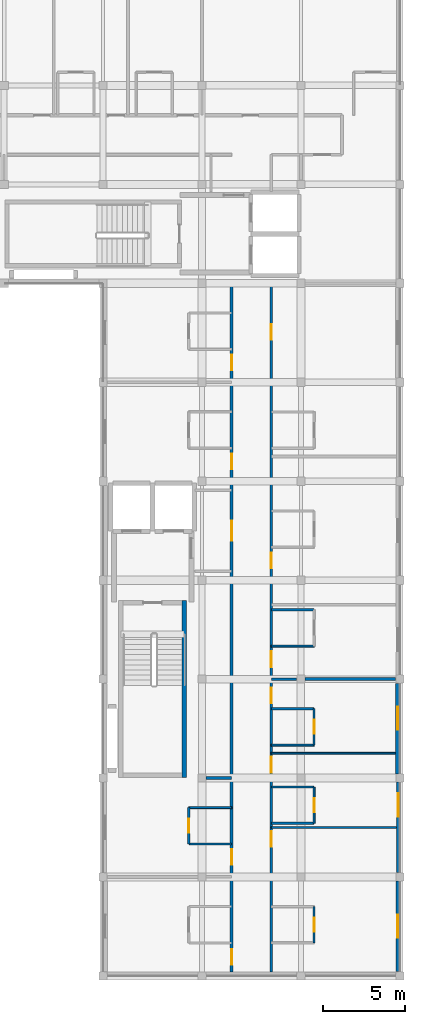
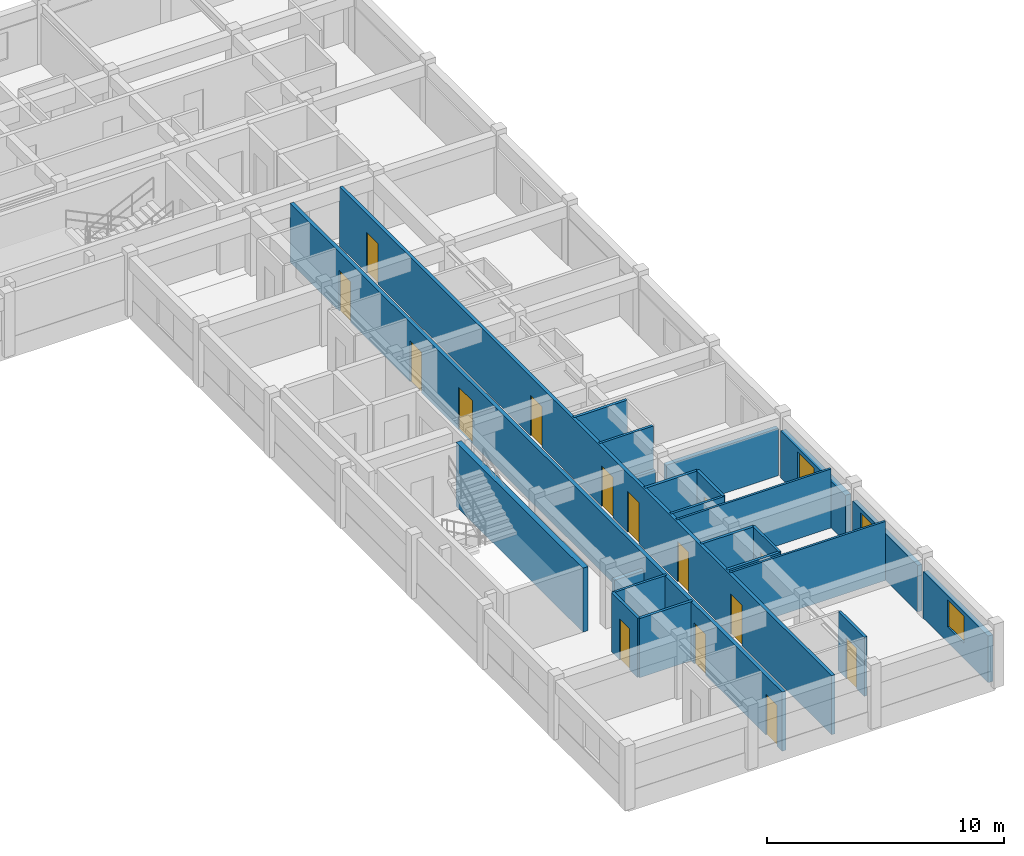
# One storey, part 7 of 14: 23 walls, 15 doors, 3 windows, 18 openings.
"""IFC4 building model written with IfcOpenShell, lengths in metres."""

from ifc_helpers import new_model, si_unit, direction, frame, frame_2d, origin, place, context, subcontext, project, spatial, rectangle, extrude, material, layer, layer_set, type_object, element, fill, save


model = new_model("IFC4")

# Units and contexts
model_context = context("Model", 3, precision=1e-05, world=origin(), true_north=direction((0.0, 1.0)))
body_context = subcontext(model_context, "Body", "Model", "MODEL_VIEW")
ifc_project = project(units=[si_unit("LENGTHUNIT", "METRE"), si_unit("AREAUNIT", "SQUARE_METRE"), si_unit("VOLUMEUNIT", "CUBIC_METRE"), si_unit("PLANEANGLEUNIT", "RADIAN"), si_unit("MASSUNIT", "GRAM", prefix="KILO"), si_unit("THERMODYNAMICTEMPERATUREUNIT", "KELVIN"), si_unit("POWERUNIT", "WATT")], contexts=[model_context])

# Site, building, storey
site_placement = place(None, origin())
site = spatial("IfcSite", under=ifc_project, at=site_placement, CompositionType="ELEMENT")
building_placement = place(site_placement, origin())
building = spatial("IfcBuilding", under=site, at=building_placement, Name="Phaisarnlok Congress Hotel", CompositionType="ELEMENT")
storey_placement = place(building_placement, frame((0.0, 0.0, 48.0)))
storey = spatial("IfcBuildingStorey", under=building, at=storey_placement, Name="L12", CompositionType="ELEMENT", Elevation=48.0)

# Wall, opening, window
ifc_material_1 = material(Name="Concrete C40/50", Category="concrete")
ifc_layer_1 = layer(ifc_material_1, 0.2099609375, Name="Concrete C40/50")
ifc_layer_set_1 = layer_set([ifc_layer_1], Name="Concrete C40/50")
wall_type_1 = type_object("IfcWallType", Name="WL-EXT-210", PredefinedType="SOLIDWALL", material=ifc_layer_set_1)
wall_1_placement = place(storey_placement, frame((179.89501953125, 72.2548828125, 0.0), z_axis=(0.0, 0.0, 1.0), x_axis=(0.0, 1.0, 0.0)))
wall_1 = element("IfcWall", 1, at=wall_1_placement, inside=storey, type_object=wall_type_1, Name="Exterior wall EW-07 (L12)", PredefinedType="SOLIDWALL", context=body_context, shape_type="SweptSolid", body=[
    extrude(rectangle(XDim=5.490234375, YDim=0.2099609375, at=frame_2d((2.7451171875, 0.0))), origin(), (0.0, 0.0, 1.0), 2.39990234375),
])
opening_1_placement = place(wall_1_placement, frame((3.407958984375, 0.0, 0.800048828125)))
opening_1 = element("IfcOpeningElement", 2, at=opening_1_placement, cuts=wall_1, Name="Opening W-13", PredefinedType="OPENING", context=body_context, shape_type="SweptSolid", body=[
    extrude(rectangle(XDim=1.39990234375, YDim=1.39990234375, at=frame_2d((0.699951171875, 0.699951171875))), frame((0.0, 0.114990234375, 0.0), z_axis=(0.0, -1.0, 0.0), x_axis=(1.0, 0.0, 0.0)), (0.0, 0.0, 1.0), 0.22998046875),
])
ifc_material_2 = material(Name="Thermally Broken Aluminium & Low-E Double Glazing", Category="aluminium")
window_type = type_object("IfcWindowType", Name="WIN-POD-1400", PartitioningType="SINGLE_PANEL", PredefinedType="WINDOW", material=ifc_material_2)
window_1_placement = place(opening_1_placement, origin())
window_1 = element("IfcWindow", 3, at=window_1_placement, inside=storey, type_object=window_type, Name="Guestroom window W-13 (L12)", OverallHeight=1.39990234375, OverallWidth=1.39990234375, PartitioningType="SINGLE_PANEL", PredefinedType="WINDOW", context=body_context, shape_type="SweptSolid", body=[
    extrude(rectangle(XDim=1.39990234375, YDim=1.39990234375, at=frame_2d((0.699951171875, 0.699951171875))), frame((0.0, 0.030029296875, 0.0), z_axis=(0.0, -1.0, 0.0), x_axis=(1.0, 0.0, 0.0)), (0.0, 0.0, 1.0), 0.06005859375),
])
fill(opening_1, window_1)

ifc_layer_2 = layer(ifc_material_1, 0.22998046875, Name="Concrete C40/50")
ifc_layer_set_2 = layer_set([ifc_layer_2], Name="Concrete C40/50")
wall_type_2 = type_object("IfcWallType", Name="WL-EXT-230", PredefinedType="SOLIDWALL", material=ifc_layer_set_2)
wall_2_placement = place(storey_placement, frame((179.885009765625, 66.2548828125, 0.0), z_axis=(0.0, 0.0, 1.0), x_axis=(0.0, 1.0, 0.0)))
wall_2 = element("IfcWall", 4, at=wall_2_placement, inside=storey, type_object=wall_type_2, Name="Exterior wall EW-06 (L12)", PredefinedType="SOLIDWALL", context=body_context, shape_type="SweptSolid", body=[
    extrude(rectangle(XDim=5.490234375, YDim=0.22998046875, at=frame_2d((2.7451171875, 0.0))), origin(), (0.0, 0.0, 1.0), 2.39990234375),
])
opening_2_placement = place(wall_2_placement, frame((2.044921875, 0.0, 0.800048828125)))
opening_2 = element("IfcOpeningElement", 5, at=opening_2_placement, cuts=wall_2, Name="Opening W-13", PredefinedType="OPENING", context=body_context, shape_type="SweptSolid", body=[
    extrude(rectangle(XDim=1.39990234375, YDim=1.39990234375, at=frame_2d((0.699951171875, 0.699951171875))), frame((0.0, 0.125, 0.0), z_axis=(0.0, -1.0, 0.0), x_axis=(1.0, 0.0, 0.0)), (0.0, 0.0, 1.0), 0.25),
])
window_2_placement = place(opening_2_placement, origin())
window_2 = element("IfcWindow", 6, at=window_2_placement, inside=storey, type_object=window_type, Name="Guestroom window W-13 (L12)", OverallHeight=1.39990234375, OverallWidth=1.39990234375, PartitioningType="SINGLE_PANEL", PredefinedType="WINDOW", context=body_context, shape_type="SweptSolid", body=[
    extrude(rectangle(XDim=1.39990234375, YDim=1.39990234375, at=frame_2d((0.699951171875, 0.699951171875))), frame((0.0, 0.030029296875, 0.0), z_axis=(0.0, -1.0, 0.0), x_axis=(1.0, 0.0, 0.0)), (0.0, 0.0, 1.0), 0.06005859375),
])
fill(opening_2, window_2)

ifc_layer_3 = layer(ifc_material_1, 0.27001953125, Name="Concrete C40/50")
ifc_layer_set_3 = layer_set([ifc_layer_3], Name="Concrete C40/50")
wall_type_3 = type_object("IfcWallType", Name="WL-EXT-270", PredefinedType="SOLIDWALL", material=ifc_layer_set_3)
wall_3_placement = place(storey_placement, frame((179.864990234375, 78.2548828125, 0.0), z_axis=(0.0, 0.0, 1.0), x_axis=(0.0, 1.0, 0.0)))
wall_3 = element("IfcWall", 7, at=wall_3_placement, inside=storey, type_object=wall_type_3, Name="Exterior wall EW-04 (L12)", PredefinedType="SOLIDWALL", context=body_context, shape_type="SweptSolid", body=[
    extrude(rectangle(XDim=5.490234375, YDim=0.27001953125, at=frame_2d((2.7451171875, 0.0))), origin(), (0.0, 0.0, 1.0), 2.39990234375),
])
opening_3_placement = place(wall_3_placement, frame((2.657958984375, 0.0, 0.800048828125)))
opening_3 = element("IfcOpeningElement", 8, at=opening_3_placement, cuts=wall_3, Name="Opening W-13", PredefinedType="OPENING", context=body_context, shape_type="SweptSolid", body=[
    extrude(rectangle(XDim=1.39990234375, YDim=1.39990234375, at=frame_2d((0.699951171875, 0.699951171875))), frame((0.0, 0.14501953125, 0.0), z_axis=(0.0, -1.0, 0.0), x_axis=(1.0, 0.0, 0.0)), (0.0, 0.0, 1.0), 0.2900390625),
])
window_3_placement = place(opening_3_placement, origin())
window_3 = element("IfcWindow", 9, at=window_3_placement, inside=storey, type_object=window_type, Name="Guestroom window W-13 (L12)", OverallHeight=1.39990234375, OverallWidth=1.39990234375, PartitioningType="SINGLE_PANEL", PredefinedType="WINDOW", context=body_context, shape_type="SweptSolid", body=[
    extrude(rectangle(XDim=1.39990234375, YDim=1.39990234375, at=frame_2d((0.699951171875, 0.699951171875))), frame((0.0, 0.030029296875, 0.0), z_axis=(0.0, -1.0, 0.0), x_axis=(1.0, 0.0, 0.0)), (0.0, 0.0, 1.0), 0.06005859375),
])
fill(opening_3, window_3)

# Walls
ifc_material_3 = material(Name="Service Riser Shaftwall Partition", Category="gypsum")
ifc_layer_4 = layer(ifc_material_3, 0.10498046875, Name="Service Riser Shaftwall Partition")
ifc_layer_set_4 = layer_set([ifc_layer_4], Name="Service Riser Shaftwall Partition")
wall_type_4 = type_object("IfcWallType", Name="WL-INT-105", PredefinedType="PARTITIONING", material=ifc_layer_set_4)
wall_4_placement = place(storey_placement, frame((172.199951171875, 75.0, 0.0), z_axis=(0.0, 0.0, 1.0), x_axis=(1.0, 0.0, 0.0)))
element("IfcWall", 10, at=wall_4_placement, inside=storey, type_object=wall_type_4, Name="Interior partition wall IW-08 (L12)", PredefinedType="PARTITIONING", context=body_context, shape_type="SweptSolid", body=[
    extrude(rectangle(XDim=7.5849609375, YDim=0.10498046875, at=frame_2d((3.79248046875, 0.0))), origin(), (0.0, 0.0, 1.0), 3.050048828125),
])
wall_5_placement = place(storey_placement, frame((172.199951171875, 79.5, 0.0), z_axis=(0.0, 0.0, 1.0), x_axis=(1.0, 0.0, 0.0)))
element("IfcWall", 11, at=wall_5_placement, inside=storey, type_object=wall_type_4, Name="Interior partition wall IW-08 (L12)", PredefinedType="PARTITIONING", context=body_context, shape_type="SweptSolid", body=[
    extrude(rectangle(XDim=7.525146484375, YDim=0.10498046875, at=frame_2d((3.7626953125, 0.0))), origin(), (0.0, 0.0, 1.0), 3.050048828125),
])

# Wall, opening, door
ifc_material_4 = material(Name="Lightweight Metal-Stud Gypsum Partition", Category="gypsum")
ifc_layer_5 = layer(ifc_material_4, 0.1201171875, Name="Lightweight Metal-Stud Gypsum Partition")
ifc_layer_set_5 = layer_set([ifc_layer_5], Name="Lightweight Metal-Stud Gypsum Partition")
wall_type_5 = type_object("IfcWallType", Name="WL-INT-120", PredefinedType="PARTITIONING", material=ifc_layer_set_5)
wall_6_placement = place(storey_placement, frame((174.800048828125, 75.25, 0.0), z_axis=(0.0, 0.0, 1.0), x_axis=(0.0, 1.0, 0.0)))
wall_6 = element("IfcWall", 12, at=wall_6_placement, inside=storey, type_object=wall_type_5, Name="Interior partition wall IW-07 (L12)", PredefinedType="PARTITIONING", context=body_context, shape_type="SweptSolid", body=[
    extrude(rectangle(XDim=2.199951171875, YDim=0.1201171875, at=frame_2d((1.10009765625, 0.0))), origin(), (0.0, 0.0, 1.0), 3.050048828125),
])
opening_4_placement = place(wall_6_placement, frame((0.675048828125, 0.0, 0.0)))
opening_4 = element("IfcOpeningElement", 13, at=opening_4_placement, cuts=wall_6, Name="Opening D-0705", PredefinedType="OPENING", context=body_context, shape_type="SweptSolid", body=[
    extrude(rectangle(XDim=0.85009765625, YDim=2.10009765625, at=frame_2d((0.425048828125, 1.050048828125))), frame((0.0, 0.070068359375, 0.0), z_axis=(0.0, -1.0, 0.0), x_axis=(1.0, 0.0, 0.0)), (0.0, 0.0, 1.0), 0.14013671875),
])
ifc_material_5 = material(Name="Moisture-Resistant Lacquered Timber", Category="wood")
door_type_1 = type_object("IfcDoorType", Name="DR-BATH-850", OperationType="NOTDEFINED", PredefinedType="DOOR", material=ifc_material_5)
door_1_placement = place(opening_4_placement, origin())
door_1 = element("IfcDoor", 14, at=door_1_placement, inside=storey, type_object=door_type_1, Name="Interior door D-0705 (L12)", OperationType="SINGLE_SWING_RIGHT", OverallHeight=2.10009765625, OverallWidth=0.85009765625, PredefinedType="DOOR", context=body_context, shape_type="SweptSolid", body=[
    extrude(rectangle(XDim=0.85009765625, YDim=2.10009765625, at=frame_2d((0.425048828125, 1.050048828125))), frame((0.0, 0.02490234375, 0.0), z_axis=(0.0, -1.0, 0.0), x_axis=(1.0, 0.0, 0.0)), (0.0, 0.0, 1.0), 0.050048828125),
])
fill(opening_4, door_1)

# Walls
for number, where, z_axis, x_axis, name in (
    (15, (167.199951171875, 76.199951171875, 0.0), (0.0, 0.0, 1.0), (1.0, 0.0, 0.0), "Interior partition wall IW-07 (L12)"),
    (16, (172.199951171875, 80.0, 0.0), (0.0, 0.0, 1.0), (1.0, 0.0, 0.0), "Interior partition wall IW-07 (L12)"),
    (17, (172.199951171875, 86.0, 0.0), (0.0, 0.0, 1.0), (1.0, 0.0, 0.0), "Interior partition wall IW-07 (L12)"),
):
    element("IfcWall", number, at=place(storey_placement, frame(where, z_axis=z_axis, x_axis=x_axis)), inside=storey, type_object=wall_type_5, Name=name, PredefinedType="PARTITIONING", context=body_context, shape_type="SweptSolid", body=[
        extrude(rectangle(XDim=2.60009765625, YDim=0.1201171875, at=frame_2d((1.300048828125, 0.0))), origin(), (0.0, 0.0, 1.0), 3.050048828125),
    ])

# Wall, opening, door
ifc_material_6 = material(Name="Moisture-Resistant Gypsum Partition", Category="gypsum")
ifc_layer_6 = layer(ifc_material_6, 0.135009765625, Name="Moisture-Resistant Gypsum Partition")
ifc_layer_set_6 = layer_set([ifc_layer_6], Name="Moisture-Resistant Gypsum Partition")
wall_type_6 = type_object("IfcWallType", Name="WL-INT-135", PredefinedType="PARTITIONING", material=ifc_layer_set_6)
wall_7_placement = place(storey_placement, frame((167.199951171875, 74.0, 0.0), z_axis=(0.0, 0.0, 1.0), x_axis=(0.0, 1.0, 0.0)))
wall_7 = element("IfcWall", 18, at=wall_7_placement, inside=storey, type_object=wall_type_6, Name="Interior partition wall IW-06 (L12)", PredefinedType="PARTITIONING", context=body_context, shape_type="SweptSolid", body=[
    extrude(rectangle(XDim=2.199951171875, YDim=0.135009765625, at=frame_2d((1.10009765625, 0.0))), origin(), (0.0, 0.0, 1.0), 3.050048828125),
])
opening_5_placement = place(wall_7_placement, frame((0.675048828125, 0.0, 0.0)))
opening_5 = element("IfcOpeningElement", 19, at=opening_5_placement, cuts=wall_7, Name="Opening D-0718", PredefinedType="OPENING", context=body_context, shape_type="SweptSolid", body=[
    extrude(rectangle(XDim=0.85009765625, YDim=2.10009765625, at=frame_2d((0.425048828125, 1.050048828125))), frame((0.0, 0.07763671875, 0.0), z_axis=(0.0, -1.0, 0.0), x_axis=(1.0, 0.0, 0.0)), (0.0, 0.0, 1.0), 0.155029296875),
])
door_2_placement = place(opening_5_placement, origin())
door_2 = element("IfcDoor", 20, at=door_2_placement, inside=storey, type_object=door_type_1, Name="Interior door D-0718 (L12)", OperationType="SINGLE_SWING_LEFT", OverallHeight=2.10009765625, OverallWidth=0.85009765625, PredefinedType="DOOR", context=body_context, shape_type="SweptSolid", body=[
    extrude(rectangle(XDim=0.85009765625, YDim=2.10009765625, at=frame_2d((0.425048828125, 1.050048828125))), frame((0.0, 0.02490234375, 0.0), z_axis=(0.0, -1.0, 0.0), x_axis=(1.0, 0.0, 0.0)), (0.0, 0.0, 1.0), 0.050048828125),
])
fill(opening_5, door_2)

wall_8_placement = place(storey_placement, frame((174.800048828125, 68.0, 0.0), z_axis=(0.0, 0.0, 1.0), x_axis=(0.0, 1.0, 0.0)))
wall_8 = element("IfcWall", 21, at=wall_8_placement, inside=storey, type_object=wall_type_6, Name="Interior partition wall IW-06 (L12)", PredefinedType="PARTITIONING", context=body_context, shape_type="SweptSolid", body=[
    extrude(rectangle(XDim=2.199951171875, YDim=0.135009765625, at=frame_2d((1.10009765625, 0.0))), origin(), (0.0, 0.0, 1.0), 3.050048828125),
])
opening_6_placement = place(wall_8_placement, frame((0.675048828125, 0.0, 0.0)))
opening_6 = element("IfcOpeningElement", 22, at=opening_6_placement, cuts=wall_8, Name="Opening D-0703", PredefinedType="OPENING", context=body_context, shape_type="SweptSolid", body=[
    extrude(rectangle(XDim=0.85009765625, YDim=2.10009765625, at=frame_2d((0.425048828125, 1.050048828125))), frame((0.0, 0.07763671875, 0.0), z_axis=(0.0, -1.0, 0.0), x_axis=(1.0, 0.0, 0.0)), (0.0, 0.0, 1.0), 0.155029296875),
])
door_3_placement = place(opening_6_placement, origin())
door_3 = element("IfcDoor", 23, at=door_3_placement, inside=storey, type_object=door_type_1, Name="Interior door D-0703 (L12)", OperationType="SINGLE_SWING_RIGHT", OverallHeight=2.10009765625, OverallWidth=0.85009765625, PredefinedType="DOOR", context=body_context, shape_type="SweptSolid", body=[
    extrude(rectangle(XDim=0.85009765625, YDim=2.10009765625, at=frame_2d((0.425048828125, 1.050048828125))), frame((0.0, 0.02490234375, 0.0), z_axis=(0.0, -1.0, 0.0), x_axis=(1.0, 0.0, 0.0)), (0.0, 0.0, 1.0), 0.050048828125),
])
fill(opening_6, door_3)

wall_9_placement = place(storey_placement, frame((174.800048828125, 80.0, 0.0), z_axis=(0.0, 0.0, 1.0), x_axis=(0.0, 1.0, 0.0)))
wall_9 = element("IfcWall", 24, at=wall_9_placement, inside=storey, type_object=wall_type_6, Name="Interior partition wall IW-06 (L12)", PredefinedType="PARTITIONING", context=body_context, shape_type="SweptSolid", body=[
    extrude(rectangle(XDim=2.199951171875, YDim=0.135009765625, at=frame_2d((1.10009765625, 0.0))), origin(), (0.0, 0.0, 1.0), 3.050048828125),
])
opening_7_placement = place(wall_9_placement, frame((0.675048828125, 0.0, 0.0)))
opening_7 = element("IfcOpeningElement", 25, at=opening_7_placement, cuts=wall_9, Name="Opening D-0707", PredefinedType="OPENING", context=body_context, shape_type="SweptSolid", body=[
    extrude(rectangle(XDim=0.85009765625, YDim=2.10009765625, at=frame_2d((0.425048828125, 1.050048828125))), frame((0.0, 0.07763671875, 0.0), z_axis=(0.0, -1.0, 0.0), x_axis=(1.0, 0.0, 0.0)), (0.0, 0.0, 1.0), 0.155029296875),
])
door_4_placement = place(opening_7_placement, origin())
door_4 = element("IfcDoor", 26, at=door_4_placement, inside=storey, type_object=door_type_1, Name="Interior door D-0707 (L12)", OperationType="SINGLE_SWING_RIGHT", OverallHeight=2.10009765625, OverallWidth=0.85009765625, PredefinedType="DOOR", context=body_context, shape_type="SweptSolid", body=[
    extrude(rectangle(XDim=0.85009765625, YDim=2.10009765625, at=frame_2d((0.425048828125, 1.050048828125))), frame((0.0, 0.02490234375, 0.0), z_axis=(0.0, -1.0, 0.0), x_axis=(1.0, 0.0, 0.0)), (0.0, 0.0, 1.0), 0.050048828125),
])
fill(opening_7, door_4)

# Walls
for number, where, z_axis, x_axis, name in (
    (27, (167.199951171875, 74.0, 0.0), (0.0, 0.0, 1.0), (1.0, 0.0, 0.0), "Interior partition wall IW-06 (L12)"),
    (28, (172.199951171875, 75.25, 0.0), (0.0, 0.0, 1.0), (1.0, 0.0, 0.0), "Interior partition wall IW-06 (L12)"),
    (29, (172.199951171875, 77.449951171875, 0.0), (0.0, 0.0, 1.0), (1.0, 0.0, 0.0), "Interior partition wall IW-06 (L12)"),
    (30, (172.199951171875, 82.199951171875, 0.0), (0.0, 0.0, 1.0), (1.0, 0.0, 0.0), "Interior partition wall IW-06 (L12)"),
    (31, (172.199951171875, 88.199951171875, 0.0), (0.0, 0.0, 1.0), (1.0, 0.0, 0.0), "Interior partition wall IW-06 (L12)"),
):
    element("IfcWall", number, at=place(storey_placement, frame(where, z_axis=z_axis, x_axis=x_axis)), inside=storey, type_object=wall_type_6, Name=name, PredefinedType="PARTITIONING", context=body_context, shape_type="SweptSolid", body=[
        extrude(rectangle(XDim=2.60009765625, YDim=0.135009765625, at=frame_2d((1.300048828125, 0.0))), origin(), (0.0, 0.0, 1.0), 3.050048828125),
    ])
ifc_material_7 = material(Name="Acoustic Gypsum Board & Mineral Wool", Category="gypsum")
ifc_layer_7 = layer(ifc_material_7, 0.14990234375, Name="Acoustic Gypsum Board & Mineral Wool")
ifc_layer_set_7 = layer_set([ifc_layer_7], Name="Acoustic Gypsum Board & Mineral Wool")
wall_type_7 = type_object("IfcWallType", Name="WL-INT-150", PredefinedType="PARTITIONING", material=ifc_layer_set_7)
wall_10_placement = place(storey_placement, frame((172.199951171875, 84.0, 0.0), z_axis=(0.0, 0.0, 1.0), x_axis=(1.0, 0.0, 0.0)))
element("IfcWall", 32, at=wall_10_placement, inside=storey, type_object=wall_type_7, Name="Interior partition wall IW-05 (L12)", PredefinedType="PARTITIONING", context=body_context, shape_type="SweptSolid", body=[
    extrude(rectangle(XDim=1.545166015625, YDim=0.14990234375, at=frame_2d((0.7724609375, 0.0))), origin(), (0.0, 0.0, 1.0), 2.35009765625),
])

# Wall, openings, doors
ifc_material_8 = material(Name="Double-Stud Acoustic Gypsum Partition", Category="gypsum")
ifc_layer_8 = layer(ifc_material_8, 0.159912109375, Name="Double-Stud Acoustic Gypsum Partition")
ifc_layer_set_8 = layer_set([ifc_layer_8], Name="Double-Stud Acoustic Gypsum Partition")
wall_type_8 = type_object("IfcWallType", Name="WL-INT-160", PredefinedType="PARTITIONING", material=ifc_layer_set_8)
wall_11_placement = place(storey_placement, frame((172.199951171875, 66.235107421875, 0.0), z_axis=(0.0, 0.0, 1.0), x_axis=(0.0, 1.0, 0.0)))
wall_11 = element("IfcWall", 33, at=wall_11_placement, inside=storey, type_object=wall_type_8, Name="Interior partition wall IW-04 (L12)", PredefinedType="PARTITIONING", context=body_context, shape_type="SweptSolid", body=[
    extrude(rectangle(XDim=41.5849609375, YDim=0.159912109375, at=frame_2d((20.79248046875, 0.0))), origin(), (0.0, 0.0, 1.0), 3.050048828125),
])
opening_8_placement = place(wall_11_placement, frame((7.590087890625, 0.0, 0.0)))
opening_8 = element("IfcOpeningElement", 34, at=opening_8_placement, cuts=wall_11, Name="Opening D-0704", PredefinedType="OPENING", context=body_context, shape_type="SweptSolid", body=[
    extrude(rectangle(XDim=0.949951171875, YDim=2.10009765625, at=frame_2d((0.47509765625, 1.050048828125))), frame((0.0, 0.08984375, 0.0), z_axis=(0.0, -1.0, 0.0), x_axis=(1.0, 0.0, 0.0)), (0.0, 0.0, 1.0), 0.179931640625),
])
opening_9_placement = place(wall_11_placement, frame((12.090087890625, 0.0, 0.0)))
opening_9 = element("IfcOpeningElement", 35, at=opening_9_placement, cuts=wall_11, Name="Opening D-0706", PredefinedType="OPENING", context=body_context, shape_type="SweptSolid", body=[
    extrude(rectangle(XDim=0.949951171875, YDim=2.10009765625, at=frame_2d((0.47509765625, 1.050048828125))), frame((0.0, 0.08984375, 0.0), z_axis=(0.0, -1.0, 0.0), x_axis=(1.0, 0.0, 0.0)), (0.0, 0.0, 1.0), 0.179931640625),
])
opening_10_placement = place(wall_11_placement, frame((16.2900390625, 0.0, 0.0)))
opening_10 = element("IfcOpeningElement", 36, at=opening_10_placement, cuts=wall_11, Name="Opening D-0708", PredefinedType="OPENING", context=body_context, shape_type="SweptSolid", body=[
    extrude(rectangle(XDim=0.949951171875, YDim=2.10009765625, at=frame_2d((0.47509765625, 1.050048828125))), frame((0.0, 0.08984375, 0.0), z_axis=(0.0, -1.0, 0.0), x_axis=(1.0, 0.0, 0.0)), (0.0, 0.0, 1.0), 0.179931640625),
])
opening_11_placement = place(wall_11_placement, frame((18.489990234375, 0.0, 0.0)))
opening_11 = element("IfcOpeningElement", 37, at=opening_11_placement, cuts=wall_11, Name="Opening D-0710", PredefinedType="OPENING", context=body_context, shape_type="SweptSolid", body=[
    extrude(rectangle(XDim=0.949951171875, YDim=2.10009765625, at=frame_2d((0.47509765625, 1.050048828125))), frame((0.0, 0.08984375, 0.0), z_axis=(0.0, -1.0, 0.0), x_axis=(1.0, 0.0, 0.0)), (0.0, 0.0, 1.0), 0.179931640625),
])
opening_12_placement = place(wall_11_placement, frame((24.489990234375, 0.0, 0.0)))
opening_12 = element("IfcOpeningElement", 38, at=opening_12_placement, cuts=wall_11, Name="Opening D-0712", PredefinedType="OPENING", context=body_context, shape_type="SweptSolid", body=[
    extrude(rectangle(XDim=0.949951171875, YDim=2.10009765625, at=frame_2d((0.47509765625, 1.050048828125))), frame((0.0, 0.08984375, 0.0), z_axis=(0.0, -1.0, 0.0), x_axis=(1.0, 0.0, 0.0)), (0.0, 0.0, 1.0), 0.179931640625),
])
opening_13_placement = place(wall_11_placement, frame((38.340087890625, 0.0, 0.0)))
opening_13 = element("IfcOpeningElement", 39, at=opening_13_placement, cuts=wall_11, Name="Opening D-0714", PredefinedType="OPENING", context=body_context, shape_type="SweptSolid", body=[
    extrude(rectangle(XDim=0.949951171875, YDim=2.10009765625, at=frame_2d((0.47509765625, 1.050048828125))), frame((0.0, 0.08984375, 0.0), z_axis=(0.0, -1.0, 0.0), x_axis=(1.0, 0.0, 0.0)), (0.0, 0.0, 1.0), 0.179931640625),
])
ifc_material_9 = material(Name="Acoustic Solid-Core Teak Veneer", Category="wood")
door_type_2 = type_object("IfcDoorType", Name="DR-FD30-950", OperationType="NOTDEFINED", PredefinedType="DOOR", material=ifc_material_9)
door_5_placement = place(opening_8_placement, origin())
door_5 = element("IfcDoor", 40, at=door_5_placement, inside=storey, type_object=door_type_2, Name="Interior door D-0704 (L12)", OperationType="SINGLE_SWING_LEFT", OverallHeight=2.10009765625, OverallWidth=0.949951171875, PredefinedType="DOOR", context=body_context, shape_type="SweptSolid", body=[
    extrude(rectangle(XDim=0.949951171875, YDim=2.10009765625, at=frame_2d((0.47509765625, 1.050048828125))), frame((0.0, 0.02490234375, 0.0), z_axis=(0.0, -1.0, 0.0), x_axis=(1.0, 0.0, 0.0)), (0.0, 0.0, 1.0), 0.050048828125),
])
fill(opening_8, door_5)
door_6_placement = place(opening_9_placement, origin())
door_6 = element("IfcDoor", 41, at=door_6_placement, inside=storey, type_object=door_type_2, Name="Interior door D-0706 (L12)", OperationType="SINGLE_SWING_LEFT", OverallHeight=2.10009765625, OverallWidth=0.949951171875, PredefinedType="DOOR", context=body_context, shape_type="SweptSolid", body=[
    extrude(rectangle(XDim=0.949951171875, YDim=2.10009765625, at=frame_2d((0.47509765625, 1.050048828125))), frame((0.0, 0.02490234375, 0.0), z_axis=(0.0, -1.0, 0.0), x_axis=(1.0, 0.0, 0.0)), (0.0, 0.0, 1.0), 0.050048828125),
])
fill(opening_9, door_6)
door_7_placement = place(opening_10_placement, origin())
door_7 = element("IfcDoor", 42, at=door_7_placement, inside=storey, type_object=door_type_2, Name="Interior door D-0708 (L12)", OperationType="SINGLE_SWING_LEFT", OverallHeight=2.10009765625, OverallWidth=0.949951171875, PredefinedType="DOOR", context=body_context, shape_type="SweptSolid", body=[
    extrude(rectangle(XDim=0.949951171875, YDim=2.10009765625, at=frame_2d((0.47509765625, 1.050048828125))), frame((0.0, 0.02490234375, 0.0), z_axis=(0.0, -1.0, 0.0), x_axis=(1.0, 0.0, 0.0)), (0.0, 0.0, 1.0), 0.050048828125),
])
fill(opening_10, door_7)
door_8_placement = place(opening_11_placement, origin())
door_8 = element("IfcDoor", 43, at=door_8_placement, inside=storey, type_object=door_type_2, Name="Interior door D-0710 (L12)", OperationType="SINGLE_SWING_LEFT", OverallHeight=2.10009765625, OverallWidth=0.949951171875, PredefinedType="DOOR", context=body_context, shape_type="SweptSolid", body=[
    extrude(rectangle(XDim=0.949951171875, YDim=2.10009765625, at=frame_2d((0.47509765625, 1.050048828125))), frame((0.0, 0.02490234375, 0.0), z_axis=(0.0, -1.0, 0.0), x_axis=(1.0, 0.0, 0.0)), (0.0, 0.0, 1.0), 0.050048828125),
])
fill(opening_11, door_8)
door_9_placement = place(opening_12_placement, origin())
door_9 = element("IfcDoor", 44, at=door_9_placement, inside=storey, type_object=door_type_2, Name="Interior door D-0712 (L12)", OperationType="SINGLE_SWING_LEFT", OverallHeight=2.10009765625, OverallWidth=0.949951171875, PredefinedType="DOOR", context=body_context, shape_type="SweptSolid", body=[
    extrude(rectangle(XDim=0.949951171875, YDim=2.10009765625, at=frame_2d((0.47509765625, 1.050048828125))), frame((0.0, 0.02490234375, 0.0), z_axis=(0.0, -1.0, 0.0), x_axis=(1.0, 0.0, 0.0)), (0.0, 0.0, 1.0), 0.050048828125),
])
fill(opening_12, door_9)
door_10_placement = place(opening_13_placement, origin())
door_10 = element("IfcDoor", 45, at=door_10_placement, inside=storey, type_object=door_type_2, Name="Interior door D-0714 (L12)", OperationType="SINGLE_SWING_LEFT", OverallHeight=2.10009765625, OverallWidth=0.949951171875, PredefinedType="DOOR", context=body_context, shape_type="SweptSolid", body=[
    extrude(rectangle(XDim=0.949951171875, YDim=2.10009765625, at=frame_2d((0.47509765625, 1.050048828125))), frame((0.0, 0.02490234375, 0.0), z_axis=(0.0, -1.0, 0.0), x_axis=(1.0, 0.0, 0.0)), (0.0, 0.0, 1.0), 0.050048828125),
])
fill(opening_13, door_10)

ifc_material_10 = material(Name="Autoclaved Aerated Concrete Block", Category="concrete")
ifc_layer_9 = layer(ifc_material_10, 0.179931640625, Name="Autoclaved Aerated Concrete Block")
ifc_layer_set_9 = layer_set([ifc_layer_9], Name="Autoclaved Aerated Concrete Block")
wall_type_9 = type_object("IfcWallType", Name="WL-INT-180", PredefinedType="PARTITIONING", material=ifc_layer_set_9)
wall_12_placement = place(storey_placement, frame((169.800048828125, 66.235107421875, 0.0), z_axis=(0.0, 0.0, 1.0), x_axis=(0.0, 1.0, 0.0)))
wall_12 = element("IfcWall", 46, at=wall_12_placement, inside=storey, type_object=wall_type_9, Name="Interior partition wall IW-03 (L12)", PredefinedType="PARTITIONING", context=body_context, shape_type="SweptSolid", body=[
    extrude(rectangle(XDim=41.5849609375, YDim=0.179931640625, at=frame_2d((20.79248046875, 0.0))), origin(), (0.0, 0.0, 1.0), 3.050048828125),
])
opening_14_placement = place(wall_12_placement, frame((26.1650390625, 0.0, 0.0)))
opening_14 = element("IfcOpeningElement", 47, at=opening_14_placement, cuts=wall_12, Name="Opening D-0675", PredefinedType="OPENING", context=body_context, shape_type="SweptSolid", body=[
    extrude(rectangle(XDim=1.199951171875, YDim=2.199951171875, at=frame_2d((0.60009765625, 1.10009765625))), frame((0.0, 0.10009765625, 0.0), z_axis=(0.0, -1.0, 0.0), x_axis=(1.0, 0.0, 0.0)), (0.0, 0.0, 1.0), 0.199951171875),
])
opening_15_placement = place(wall_12_placement, frame((0.43994140625, 0.0, 0.0)))
opening_15 = element("IfcOpeningElement", 48, at=opening_15_placement, cuts=wall_12, Name="Opening D-0717", PredefinedType="OPENING", context=body_context, shape_type="SweptSolid", body=[
    extrude(rectangle(XDim=0.949951171875, YDim=2.10009765625, at=frame_2d((0.47509765625, 1.050048828125))), frame((0.0, 0.10009765625, 0.0), z_axis=(0.0, -1.0, 0.0), x_axis=(1.0, 0.0, 0.0)), (0.0, 0.0, 1.0), 0.199951171875),
])
opening_16_placement = place(wall_12_placement, frame((6.489990234375, 0.0, 0.0)))
opening_16 = element("IfcOpeningElement", 49, at=opening_16_placement, cuts=wall_12, Name="Opening D-0719", PredefinedType="OPENING", context=body_context, shape_type="SweptSolid", body=[
    extrude(rectangle(XDim=0.949951171875, YDim=2.10009765625, at=frame_2d((0.47509765625, 1.050048828125))), frame((0.0, 0.10009765625, 0.0), z_axis=(0.0, -1.0, 0.0), x_axis=(1.0, 0.0, 0.0)), (0.0, 0.0, 1.0), 0.199951171875),
])
opening_17_placement = place(wall_12_placement, frame((30.489990234375, 0.0, 0.0)))
opening_17 = element("IfcOpeningElement", 50, at=opening_17_placement, cuts=wall_12, Name="Opening D-0721", PredefinedType="OPENING", context=body_context, shape_type="SweptSolid", body=[
    extrude(rectangle(XDim=0.949951171875, YDim=2.10009765625, at=frame_2d((0.47509765625, 1.050048828125))), frame((0.0, 0.10009765625, 0.0), z_axis=(0.0, -1.0, 0.0), x_axis=(1.0, 0.0, 0.0)), (0.0, 0.0, 1.0), 0.199951171875),
])
opening_18_placement = place(wall_12_placement, frame((36.489990234375, 0.0, 0.0)))
opening_18 = element("IfcOpeningElement", 51, at=opening_18_placement, cuts=wall_12, Name="Opening D-0723", PredefinedType="OPENING", context=body_context, shape_type="SweptSolid", body=[
    extrude(rectangle(XDim=0.949951171875, YDim=2.10009765625, at=frame_2d((0.47509765625, 1.050048828125))), frame((0.0, 0.10009765625, 0.0), z_axis=(0.0, -1.0, 0.0), x_axis=(1.0, 0.0, 0.0)), (0.0, 0.0, 1.0), 0.199951171875),
])
door_11_placement = place(opening_15_placement, origin())
door_11 = element("IfcDoor", 52, at=door_11_placement, inside=storey, type_object=door_type_2, Name="Interior door D-0717 (L12)", OperationType="SINGLE_SWING_RIGHT", OverallHeight=2.10009765625, OverallWidth=0.949951171875, PredefinedType="DOOR", context=body_context, shape_type="SweptSolid", body=[
    extrude(rectangle(XDim=0.949951171875, YDim=2.10009765625, at=frame_2d((0.47509765625, 1.050048828125))), frame((0.0, 0.02490234375, 0.0), z_axis=(0.0, -1.0, 0.0), x_axis=(1.0, 0.0, 0.0)), (0.0, 0.0, 1.0), 0.050048828125),
])
fill(opening_15, door_11)
door_12_placement = place(opening_16_placement, origin())
door_12 = element("IfcDoor", 53, at=door_12_placement, inside=storey, type_object=door_type_2, Name="Interior door D-0719 (L12)", OperationType="SINGLE_SWING_RIGHT", OverallHeight=2.10009765625, OverallWidth=0.949951171875, PredefinedType="DOOR", context=body_context, shape_type="SweptSolid", body=[
    extrude(rectangle(XDim=0.949951171875, YDim=2.10009765625, at=frame_2d((0.47509765625, 1.050048828125))), frame((0.0, 0.02490234375, 0.0), z_axis=(0.0, -1.0, 0.0), x_axis=(1.0, 0.0, 0.0)), (0.0, 0.0, 1.0), 0.050048828125),
])
fill(opening_16, door_12)
door_13_placement = place(opening_17_placement, origin())
door_13 = element("IfcDoor", 54, at=door_13_placement, inside=storey, type_object=door_type_2, Name="Interior door D-0721 (L12)", OperationType="SINGLE_SWING_RIGHT", OverallHeight=2.10009765625, OverallWidth=0.949951171875, PredefinedType="DOOR", context=body_context, shape_type="SweptSolid", body=[
    extrude(rectangle(XDim=0.949951171875, YDim=2.10009765625, at=frame_2d((0.47509765625, 1.050048828125))), frame((0.0, 0.02490234375, 0.0), z_axis=(0.0, -1.0, 0.0), x_axis=(1.0, 0.0, 0.0)), (0.0, 0.0, 1.0), 0.050048828125),
])
fill(opening_17, door_13)
door_14_placement = place(opening_18_placement, origin())
door_14 = element("IfcDoor", 55, at=door_14_placement, inside=storey, type_object=door_type_2, Name="Interior door D-0723 (L12)", OperationType="SINGLE_SWING_RIGHT", OverallHeight=2.10009765625, OverallWidth=0.949951171875, PredefinedType="DOOR", context=body_context, shape_type="SweptSolid", body=[
    extrude(rectangle(XDim=0.949951171875, YDim=2.10009765625, at=frame_2d((0.47509765625, 1.050048828125))), frame((0.0, 0.02490234375, 0.0), z_axis=(0.0, -1.0, 0.0), x_axis=(1.0, 0.0, 0.0)), (0.0, 0.0, 1.0), 0.050048828125),
])
fill(opening_18, door_14)
ifc_material_11 = material(Name="Fire-Rated Steel Frame & Timber Leaf", Category="steel")
door_type_3 = type_object("IfcDoorType", Name="DR-FD60-1200", OperationType="NOTDEFINED", PredefinedType="DOOR", material=ifc_material_11)
door_15_placement = place(opening_14_placement, origin())
door_15 = element("IfcDoor", 56, at=door_15_placement, inside=storey, type_object=door_type_3, Name="Interior door D-0675 (L12)", OperationType="SINGLE_SWING_LEFT", OverallHeight=2.199951171875, OverallWidth=1.199951171875, PredefinedType="DOOR", context=body_context, shape_type="SweptSolid", body=[
    extrude(rectangle(XDim=1.199951171875, YDim=2.199951171875, at=frame_2d((0.60009765625, 1.10009765625))), frame((0.0, 0.02490234375, 0.0), z_axis=(0.0, -1.0, 0.0), x_axis=(1.0, 0.0, 0.0)), (0.0, 0.0, 1.0), 0.050048828125),
])
fill(opening_14, door_15)

# Walls
ifc_layer_10 = layer(ifc_material_10, 0.199951171875, Name="Autoclaved Aerated Concrete Block")
ifc_layer_set_10 = layer_set([ifc_layer_10], Name="Autoclaved Aerated Concrete Block")
wall_type_10 = type_object("IfcWallType", Name="WL-INT-200", PredefinedType="PARTITIONING", material=ifc_layer_set_10)
wall_13_placement = place(storey_placement, frame((168.2548828125, 78.0, 0.0), z_axis=(0.0, 0.0, 1.0), x_axis=(1.0, 0.0, 0.0)))
element("IfcWall", 57, at=wall_13_placement, inside=storey, type_object=wall_type_10, Name="Interior partition wall IW-02 (L12)", PredefinedType="PARTITIONING", context=body_context, shape_type="SweptSolid", body=[
    extrude(rectangle(XDim=1.545166015625, YDim=0.199951171875, at=frame_2d((0.7724609375, 0.0))), origin(), (0.0, 0.0, 1.0), 2.25),
])
wall_14_placement = place(storey_placement, frame((174.2548828125, 84.0, 0.0), z_axis=(0.0, 0.0, 1.0), x_axis=(1.0, 0.0, 0.0)))
element("IfcWall", 58, at=wall_14_placement, inside=storey, type_object=wall_type_10, Name="Interior partition wall IW-02 (L12)", PredefinedType="PARTITIONING", context=body_context, shape_type="SweptSolid", body=[
    extrude(rectangle(XDim=5.465087890625, YDim=0.199951171875, at=frame_2d((2.732421875, 0.0))), origin(), (0.0, 0.0, 1.0), 2.449951171875),
])
ifc_material_12 = material(Name="Concrete C50/60", Category="concrete")
ifc_layer_11 = layer(ifc_material_12, 0.260009765625, Name="Concrete C50/60")
ifc_layer_set_11 = layer_set([ifc_layer_11], Name="Concrete C50/60")
wall_type_11 = type_object("IfcWallType", Name="WL-SHR-260", PredefinedType="SHEAR", material=ifc_layer_set_11)
wall_15_placement = place(storey_placement, frame((166.929931640625, 78.0400390625, 0.0), z_axis=(0.0, 0.0, 1.0), x_axis=(0.0, 1.0, 0.0)))
element("IfcWall", 59, at=wall_15_placement, inside=storey, type_object=wall_type_11, Name="Stair shaft shear wall SW-04 (CORE-3 L12)", PredefinedType="SHEAR", context=body_context, shape_type="SweptSolid", body=[
    extrude(rectangle(XDim=10.719970703125, YDim=0.260009765625, at=frame_2d((5.35986328125, 0.0))), origin(), (0.0, 0.0, 1.0), 3.300048828125),
])

save(model, "model.ifc")
